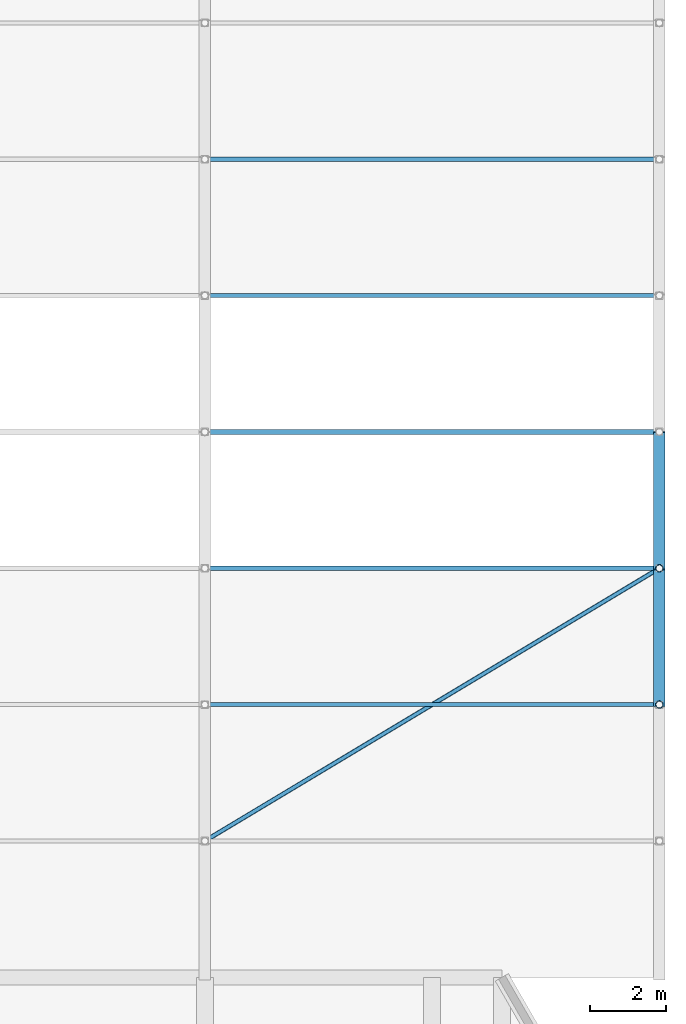
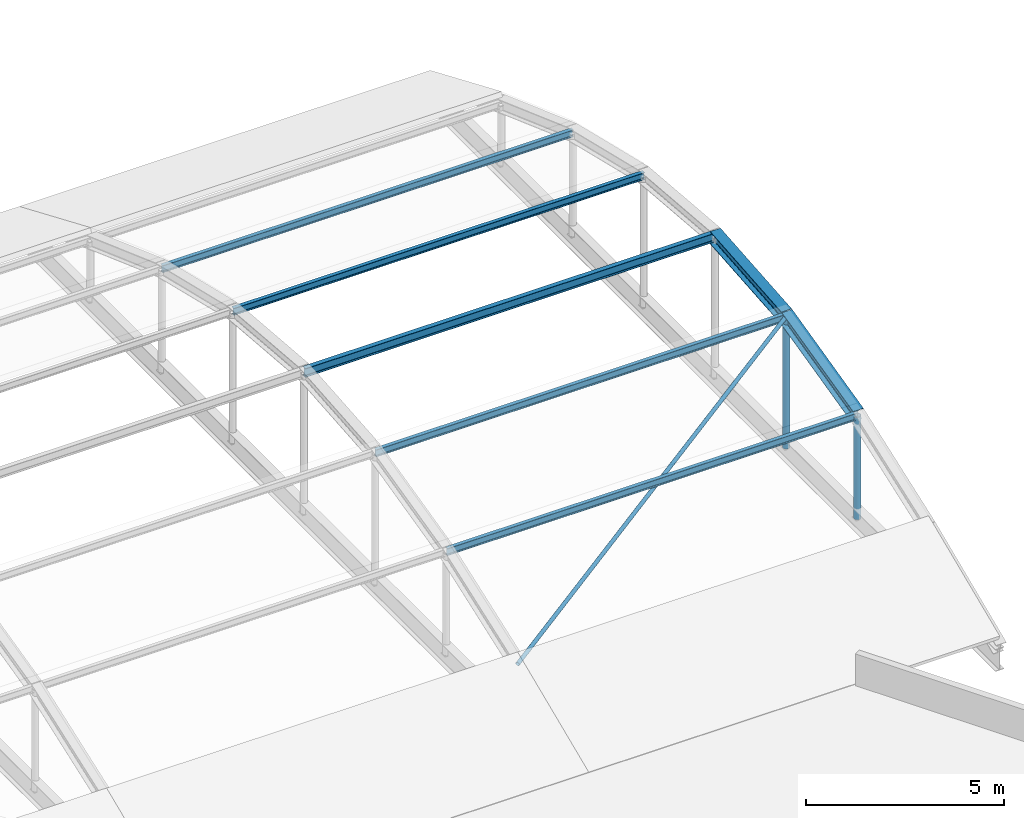
# One storey, part 185 of 239: 8 members, 2 beams.
"""IFC4 building model written with IfcOpenShell, lengths in metres."""

from ifc_helpers import new_model, si_unit, direction, frame, origin, origin_2d, place, context, subcontext, project, spatial, hollow_circle, i_section, extrude, material, material_profile, profile_set, type_object, element, save


model = new_model("IFC4")

# Units and contexts
model_context = context("Model", 3, precision=1e-05, world=origin(), true_north=direction((0.0, 1.0)))
body_context = subcontext(model_context, "Body", "Model", "MODEL_VIEW")
ifc_project = project(units=[si_unit("LENGTHUNIT", "METRE"), si_unit("AREAUNIT", "SQUARE_METRE"), si_unit("VOLUMEUNIT", "CUBIC_METRE"), si_unit("PLANEANGLEUNIT", "RADIAN"), si_unit("MASSUNIT", "GRAM", prefix="KILO")], contexts=[model_context])

# Site, building, storey
site_placement = place(None, origin())
site = spatial("IfcSite", under=ifc_project, at=site_placement, CompositionType="ELEMENT")
building_placement = place(site_placement, origin())
building = spatial("IfcBuilding", under=site, at=building_placement, Name="Dunvalen Ferry Terminal", CompositionType="ELEMENT")
storey_placement = place(building_placement, frame((0.0, 0.0, 9.840087890625)))
storey = spatial("IfcBuildingStorey", under=building, at=storey_placement, Name="L02", CompositionType="ELEMENT", Elevation=9.840087890625)

# Beams
ifc_material = material(Name="Steel S355", Category="steel")
ifc_material_profile_1 = material_profile(ifc_material, i_section(OverallWidth=0.300048828125, OverallDepth=0.389892578125, WebThickness=0.010986328125, FlangeThickness=0.01904296875, FilletRadius=0.027099609375, at=origin_2d()), Name="Steel S355")
ifc_profile_set_1 = profile_set([ifc_material_profile_1], Name="Steel S355")
beam_type = type_object("IfcBeamType", Name="STR-BM-HEA400", PredefinedType="BEAM", material=ifc_profile_set_1)
beam_1_placement = place(storey_placement, frame((168.0, 64.800048828125, 2.828369140625), z_axis=(0.0, 0.972204462661, 0.234133472154), x_axis=(-1.0, 0.0, 0.0)))
element("IfcBeam", 1, at=beam_1_placement, inside=storey, type_object=beam_type, Name="Arrivals Hall Barrel-Vault Arch Rib 06.3", PredefinedType="BEAM", context=body_context, shape_type="SweptSolid", body=[
    extrude(i_section(OverallWidth=0.300048828125, OverallDepth=0.389892578125, WebThickness=0.010986328125, FlangeThickness=0.01904296875, FilletRadius=0.027099609375, at=origin_2d()), origin(), (0.0, 0.0, 1.0), 3.702880859375),
])
beam_2_placement = place(storey_placement, frame((168.0, 68.39990234375, 3.6953125), z_axis=(0.0, 0.996437742755, 0.084331635898), x_axis=(-1.0, 0.0, 0.0)))
element("IfcBeam", 2, at=beam_2_placement, inside=storey, type_object=beam_type, Name="Arrivals Hall Barrel-Vault Arch Rib 06.4", PredefinedType="BEAM", context=body_context, shape_type="SweptSolid", body=[
    extrude(i_section(OverallWidth=0.300048828125, OverallDepth=0.389892578125, WebThickness=0.010986328125, FlangeThickness=0.01904296875, FilletRadius=0.027099609375, at=origin_2d()), origin(), (0.0, 0.0, 1.0), 3.613037109375),
])

# Members
ifc_material_profile_2 = material_profile(ifc_material, hollow_circle(Radius=0.05712890625, WallThickness=0.00634765625, at=origin_2d()), Name="Steel S355")
ifc_profile_set_2 = profile_set([ifc_material_profile_2], Name="Steel S355")
member_type_1 = type_object("IfcMemberType", Name="STR-MB-CHS114", PredefinedType="BRACE", material=ifc_profile_set_2)
member_1_placement = place(storey_placement, frame((156.0, 61.199951171875, 1.530517578125), z_axis=(0.847415292551, 0.508445727389, 0.15287336017), x_axis=(-0.514493189871, 0.857494465041, 0.0)))
element("IfcMember", 3, at=member_1_placement, inside=storey, type_object=member_type_1, Name="Arrivals Hall Vault Wind Brace 5A", PredefinedType="BRACE", context=body_context, shape_type="SweptSolid", body=[
    extrude(hollow_circle(Radius=0.05712890625, WallThickness=0.00634765625, at=origin_2d()), origin(), (0.0, 0.0, 1.0), 14.16064453125),
])
ifc_material_profile_3 = material_profile(ifc_material, hollow_circle(Radius=0.096923828125, WallThickness=0.008056640625, at=origin_2d()), Name="Steel S355")
ifc_profile_set_3 = profile_set([ifc_material_profile_3], Name="Steel S355")
member_type_2 = type_object("IfcMemberType", Name="STR-MB-CHS193", PredefinedType="STRUT", material=ifc_profile_set_3)
member_2_placement = place(storey_placement, frame((168.0, 64.800048828125, -0.340087890625), z_axis=(0.0, 0.0, 1.0), x_axis=(1.0, 0.0, 0.0)))
element("IfcMember", 4, at=member_2_placement, inside=storey, type_object=member_type_2, Name="Arrivals Hall Vault Hanger 06.2", PredefinedType="STRUT", context=body_context, shape_type="SweptSolid", body=[
    extrude(hollow_circle(Radius=0.096923828125, WallThickness=0.008056640625, at=origin_2d()), origin(), (0.0, 0.0, 1.0), 3.16845703125),
])
member_3_placement = place(storey_placement, frame((168.0, 68.39990234375, -0.340087890625), z_axis=(0.0, 0.0, 1.0), x_axis=(1.0, 0.0, 0.0)))
element("IfcMember", 5, at=member_3_placement, inside=storey, type_object=member_type_2, Name="Arrivals Hall Vault Hanger 06.3", PredefinedType="STRUT", context=body_context, shape_type="SweptSolid", body=[
    extrude(hollow_circle(Radius=0.096923828125, WallThickness=0.008056640625, at=origin_2d()), origin(), (0.0, 0.0, 1.0), 4.035400390625),
])
ifc_material_profile_4 = material_profile(ifc_material, i_section(OverallWidth=0.110107421875, OverallDepth=0.219970703125, WebThickness=0.005859375, FlangeThickness=0.00927734375, FilletRadius=0.011962890625, at=origin_2d()), Name="Steel S355")
ifc_profile_set_4 = profile_set([ifc_material_profile_4], Name="Steel S355")
member_type_3 = type_object("IfcMemberType", Name="STR-MB-IPE220", PredefinedType="PURLIN", material=ifc_profile_set_4)
for number, where, z_axis, x_axis, name in (
    (6, (156.0, 64.800048828125, 2.828369140625), (1.0, 0.0, 0.0), (0.0, 1.0, 0.0), "Arrivals Hall Barrel-Vault Purlin 5.3"),
    (7, (156.0, 68.39990234375, 3.6953125), (1.0, 0.0, 0.0), (0.0, 1.0, 0.0), "Arrivals Hall Barrel-Vault Purlin 5.4"),
    (8, (156.0, 75.60009765625, 3.6953125), (1.0, 0.0, 0.0), (0.0, 1.0, 0.0), "Arrivals Hall Barrel-Vault Purlin 5.6"),
    (9, (156.0, 79.199951171875, 2.828369140625), (1.0, 0.0, 0.0), (0.0, 1.0, 0.0), "Arrivals Hall Barrel-Vault Purlin 5.7"),
):
    element("IfcMember", number, at=place(storey_placement, frame(where, z_axis=z_axis, x_axis=x_axis)), inside=storey, type_object=member_type_3, Name=name, PredefinedType="PURLIN", context=body_context, shape_type="SweptSolid", body=[
        extrude(i_section(OverallWidth=0.110107421875, OverallDepth=0.219970703125, WebThickness=0.005859375, FlangeThickness=0.00927734375, FilletRadius=0.011962890625, at=origin_2d()), origin(), (0.0, 0.0, 1.0), 12.0),
    ])
ifc_material_profile_5 = material_profile(ifc_material, i_section(OverallWidth=0.135009765625, OverallDepth=0.27001953125, WebThickness=0.006591796875, FlangeThickness=0.01025390625, FilletRadius=0.014892578125, at=origin_2d()), Name="Steel S355")
ifc_profile_set_5 = profile_set([ifc_material_profile_5], Name="Steel S355")
member_type_4 = type_object("IfcMemberType", Name="STR-MB-IPE270", PredefinedType="PURLIN", material=ifc_profile_set_5)
member_4_placement = place(storey_placement, frame((156.0, 72.0, 4.0), z_axis=(1.0, 0.0, 0.0), x_axis=(0.0, 1.0, 0.0)))
element("IfcMember", 10, at=member_4_placement, inside=storey, type_object=member_type_4, Name="Arrivals Hall Barrel-Vault Purlin 5.5", PredefinedType="PURLIN", context=body_context, shape_type="SweptSolid", body=[
    extrude(i_section(OverallWidth=0.135009765625, OverallDepth=0.27001953125, WebThickness=0.006591796875, FlangeThickness=0.01025390625, FilletRadius=0.014892578125, at=origin_2d()), origin(), (0.0, 0.0, 1.0), 12.0),
])

save(model, "model.ifc")
